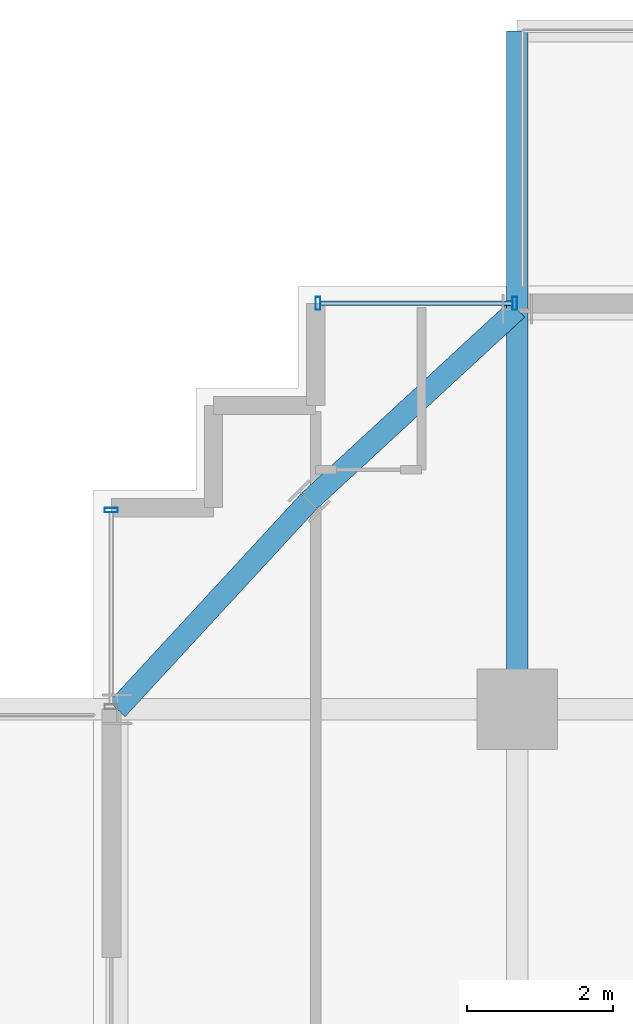
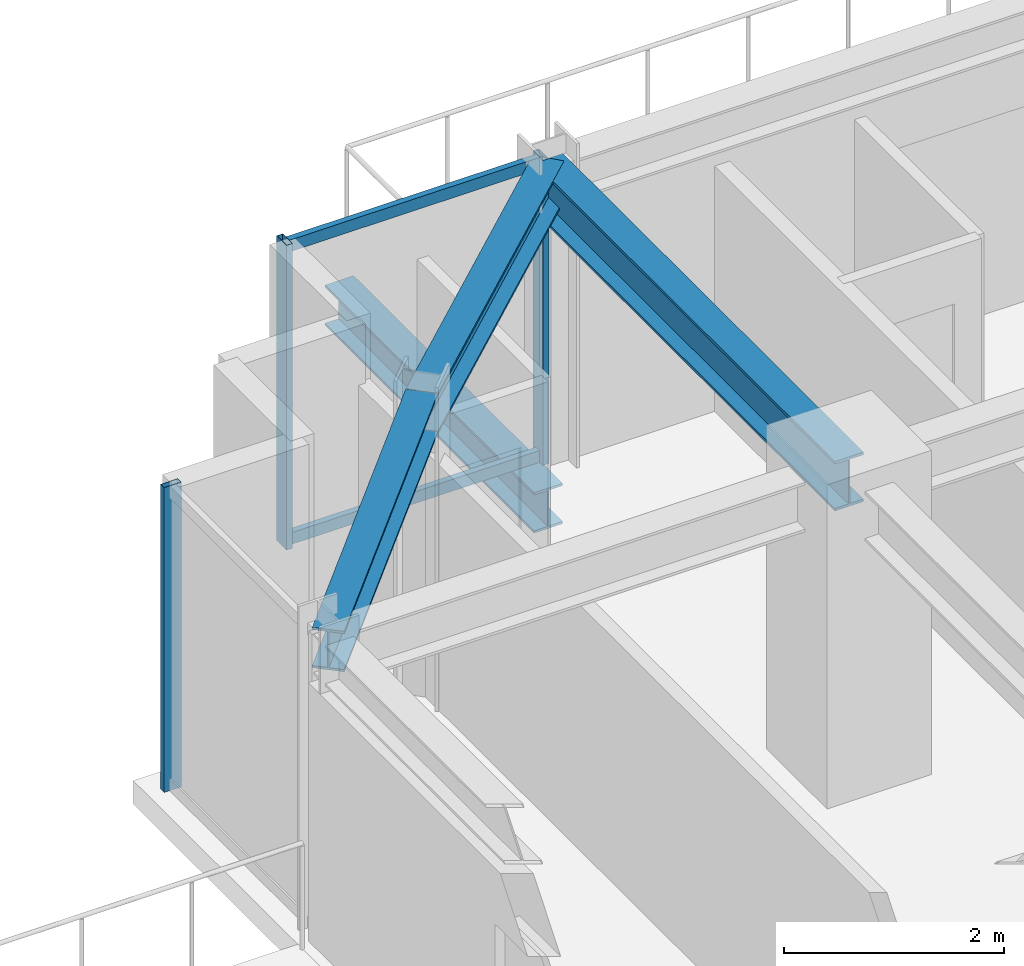
# One storey, part 17 of 32: 5 members, 4 beams, 2 elements without a shape of their own.
"""IFC4 building model written with IfcOpenShell, lengths in metres."""

from ifc_helpers import new_model, si_unit, direction, frame, origin, origin_2d, place, context, subcontext, project, spatial, hollow_rectangle, i_section, extrude, source, transform, mapped, material, material_profile, profile_set, type_object, element, aggregate, save


model = new_model("IFC4")

# Units and contexts
model_context = context("Model", 3, precision=1e-05, world=origin(), true_north=direction((0.0, 1.0)))
body_context = subcontext(model_context, "Body", "Model", "MODEL_VIEW")
ifc_project = project(units=[si_unit("LENGTHUNIT", "METRE"), si_unit("AREAUNIT", "SQUARE_METRE"), si_unit("VOLUMEUNIT", "CUBIC_METRE"), si_unit("PLANEANGLEUNIT", "RADIAN"), si_unit("MASSUNIT", "GRAM", prefix="KILO")], contexts=[model_context])

# Site, building, storey
site_placement = place(None, origin())
site = spatial("IfcSite", under=ifc_project, at=site_placement, CompositionType="ELEMENT")
building_placement = place(site_placement, origin())
building = spatial("IfcBuilding", under=site, at=building_placement, Name="Nahalor Promenade Grand Hotel", CompositionType="ELEMENT")
storey_placement = place(building_placement, frame((0.0, 0.0, 152.64990234375)))
storey = spatial("IfcBuildingStorey", under=building, at=storey_placement, Name="L38", CompositionType="ELEMENT", Elevation=152.64990234375)

# Beams
ifc_material_1 = material(Name="Steel S355JR", Category="steel")
ifc_material_profile_1 = material_profile(ifc_material_1, i_section(OverallWidth=0.3, OverallDepth=0.45, WebThickness=0.014, FlangeThickness=0.026, at=origin_2d()), Name="HEB 450")
ifc_profile_set_1 = profile_set([ifc_material_profile_1], Name="Steel S355JR")
beam_type_1 = type_object("IfcBeamType", Name="Beam-Outrigger-HEB450", PredefinedType="BEAM", material=ifc_profile_set_1)
shared_shape_1 = source(origin(), body_context, "Body", "SweptSolid", [
    extrude(i_section(OverallWidth=0.3, OverallDepth=0.45, WebThickness=0.014, FlangeThickness=0.026, at=origin_2d()), origin(), (0.0, 0.0, 1.0), 3.81005859375),
])
beam_1_placement = place(storey_placement, frame((-17.0, 22.47998046875, -0.5048828125), z_axis=(0.0, 1.0, 0.0), x_axis=(-1.0, 0.0, 0.0)))
element("IfcBeam", 1, at=beam_1_placement, inside=storey, type_object=beam_type_1, Name="BM-L38-BC-01-1", PredefinedType="BEAM", context=body_context, shape_type="MappedRepresentation", body=[
    mapped(shared_shape_1, transform((0.0, 0.0, 0.0), scale=1.0)),
])
ifc_material_profile_2 = material_profile(ifc_material_1, i_section(OverallWidth=0.3, OverallDepth=0.55, WebThickness=0.015, FlangeThickness=0.029, at=origin_2d()), Name="HEB 550")
ifc_profile_set_2 = profile_set([ifc_material_profile_2], Name="Steel S355JR")
beam_type_2 = type_object("IfcBeamType", Name="Beam-Girder-HEB550", PredefinedType="BEAM", material=ifc_profile_set_2)
shared_shape_2 = source(origin(), body_context, "Body", "SweptSolid", [
    extrude(i_section(OverallWidth=0.3, OverallDepth=0.55, WebThickness=0.015, FlangeThickness=0.029, at=origin_2d()), origin(), (0.0, 0.0, 1.0), 5.47998046875),
])
beam_2_placement = place(storey_placement, frame((-17.0, 17.0, 3.114990234375), z_axis=(0.0, 1.0, 0.0), x_axis=(-1.0, 0.0, 0.0)))
element("IfcBeam", 2, at=beam_2_placement, inside=storey, type_object=beam_type_2, Name="BM-L38-GY-0-4", PredefinedType="BEAM", context=body_context, shape_type="MappedRepresentation", body=[
    mapped(shared_shape_2, transform((0.0, 0.0, 0.0), scale=1.0)),
])
ifc_material_profile_3 = material_profile(ifc_material_1, i_section(OverallWidth=0.3, OverallDepth=0.45, WebThickness=0.014, FlangeThickness=0.026, at=origin_2d()), Name="HEB 450")
ifc_profile_set_3 = profile_set([ifc_material_profile_3], Name="Steel S355JR")
beam_type_3 = type_object("IfcBeamType", Name="Beam-Spandrel-HEB450", PredefinedType="SPANDREL", material=ifc_profile_set_3)
shared_shape_3 = source(origin(), body_context, "Body", "SweptSolid", [
    extrude(i_section(OverallWidth=0.3, OverallDepth=0.45, WebThickness=0.014, FlangeThickness=0.026, at=origin_2d()), origin(), (0.0, 0.0, 1.0), 3.878173828125),
])
for number, where, z_axis, x_axis, name in (
    (3, (-17.0, 22.47998046875, 3.1650390625), (-0.73492893846, -0.678144125843, 0.0), (0.678144125843, -0.73492893846, 0.0), "BM-L38-SPC-NW-1"),
    (4, (-19.85009765625, 19.85009765625, 3.1650390625), (-0.678144125843, -0.73492893846, 0.0), (0.73492893846, -0.678144125843, 0.0), "BM-L38-SPC-NW-2"),
):
    element("IfcBeam", number, at=place(storey_placement, frame(where, z_axis=z_axis, x_axis=x_axis)), inside=storey, type_object=beam_type_3, Name=name, PredefinedType="SPANDREL", context=body_context, shape_type="MappedRepresentation", body=[
        mapped(shared_shape_3, transform((0.0, 0.0, 0.0), scale=1.0)),
    ])

# Curtain wall, members
ifc_material_2 = material(Name="Anodised Bronze Aluminium EN AW-6063 T6", Category="aluminium")
curtain_wall_type = type_object("IfcCurtainWallType", Name="CW2 Typical Hotel Flush Bronze Unitised Curtain Wall", PredefinedType="USERDEFINED", material=ifc_material_2)
curtain_wall_1_placement = place(storey_placement, origin())
curtain_wall_1 = element("IfcCurtainWall", 5, at=curtain_wall_1_placement, inside=storey, type_object=curtain_wall_type, Name="L38 Curtain Wall CW-L38-N-1", ObjectType="UNITISED_CURTAIN_WALL", PredefinedType="USERDEFINED")
ifc_material_profile_4 = material_profile(ifc_material_2, hollow_rectangle(XDim=0.065, YDim=0.13, WallThickness=0.004, at=origin_2d()), Name="CWT 65x130x4")
ifc_profile_set_4 = profile_set([ifc_material_profile_4], Name="Anodised Bronze Aluminium EN AW-6063 T6")
member_type_1 = type_object("IfcMemberType", Name="CWT2 Typical Bronze Transom 65x130", PredefinedType="USERDEFINED", material=ifc_profile_set_4)
shared_shape_4 = source(origin(), body_context, "Body", "SweptSolid", [
    extrude(hollow_rectangle(XDim=0.065, YDim=0.13, WallThickness=0.004, at=origin_2d()), origin(), (0.0, 0.0, 1.0), 2.630126953125),
])
member_1_placement = place(storey_placement, frame((-19.695068359375, 22.56005859375, 0.065185546875), z_axis=(1.0, 0.0, 0.0), x_axis=(0.0, 1.0, 0.0)))
member_1 = element("IfcMember", 6, at=member_1_placement, type_object=member_type_1, Name="CW-L38-N-1 Transom 0-0", ObjectType="TRANSOM", PredefinedType="USERDEFINED", context=body_context, shape_type="MappedRepresentation", body=[
    mapped(shared_shape_4, transform((0.0, 0.0, 0.0), scale=1.0)),
])
member_2_placement = place(storey_placement, frame((-19.695068359375, 22.56005859375, 3.3251953125), z_axis=(1.0, 0.0, 0.0), x_axis=(0.0, 1.0, 0.0)))
member_2 = element("IfcMember", 7, at=member_2_placement, type_object=member_type_1, Name="CW-L38-N-1 Transom 0-1", ObjectType="TRANSOM", PredefinedType="USERDEFINED", context=body_context, shape_type="MappedRepresentation", body=[
    mapped(shared_shape_4, transform((0.0, 0.0, 0.0), scale=1.0)),
])
ifc_material_profile_5 = material_profile(ifc_material_2, hollow_rectangle(XDim=0.065, YDim=0.18, WallThickness=0.004, at=origin_2d()), Name="CWM 65x180x4")
ifc_profile_set_5 = profile_set([ifc_material_profile_5], Name="Anodised Bronze Aluminium EN AW-6063 T6")
member_type_2 = type_object("IfcMemberType", Name="CWM2 Typical Bronze Mullion 65x180", PredefinedType="MULLION", material=ifc_profile_set_5)
shared_shape_5 = source(origin(), body_context, "Body", "SweptSolid", [
    extrude(hollow_rectangle(XDim=0.065, YDim=0.18, WallThickness=0.004, at=origin_2d()), origin(), (0.0, 0.0, 1.0), 3.39013671875),
])
member_3_placement = place(storey_placement, frame((-19.7275390625, 22.56005859375, 0.0), z_axis=(0.0, 0.0, 1.0), x_axis=(1.0, 0.0, 0.0)))
member_3 = element("IfcMember", 8, at=member_3_placement, type_object=member_type_2, Name="CW-L38-N-1 Mullion 0", PredefinedType="MULLION", context=body_context, shape_type="MappedRepresentation", body=[
    mapped(shared_shape_5, transform((0.0, 0.0, 0.0), scale=1.0)),
])
member_4_placement = place(storey_placement, frame((-17.032470703125, 22.56005859375, 0.0), z_axis=(0.0, 0.0, 1.0), x_axis=(1.0, 0.0, 0.0)))
member_4 = element("IfcMember", 9, at=member_4_placement, type_object=member_type_2, Name="CW-L38-N-1 Mullion 1", PredefinedType="MULLION", context=body_context, shape_type="MappedRepresentation", body=[
    mapped(shared_shape_5, transform((0.0, 0.0, 0.0), scale=1.0)),
])
aggregate(curtain_wall_1, [member_3, member_4, member_1, member_2])

# Curtain wall, member
curtain_wall_2_placement = place(storey_placement, origin())
curtain_wall_2 = element("IfcCurtainWall", 10, at=curtain_wall_2_placement, inside=storey, type_object=curtain_wall_type, Name="L38 Curtain Wall CW-L38-W-3", ObjectType="UNITISED_CURTAIN_WALL", PredefinedType="USERDEFINED")
member_5_placement = place(storey_placement, frame((-22.56005859375, 19.7275390625, 0.0), z_axis=(0.0, 0.0, 1.0), x_axis=(0.0, 1.0, 0.0)))
member_5 = element("IfcMember", 11, at=member_5_placement, type_object=member_type_2, Name="CW-L38-W-3 Mullion 1", PredefinedType="MULLION", context=body_context, shape_type="MappedRepresentation", body=[
    mapped(shared_shape_5, transform((0.0, 0.0, 0.0), scale=1.0)),
])
aggregate(curtain_wall_2, [member_5])

save(model, "model.ifc")
